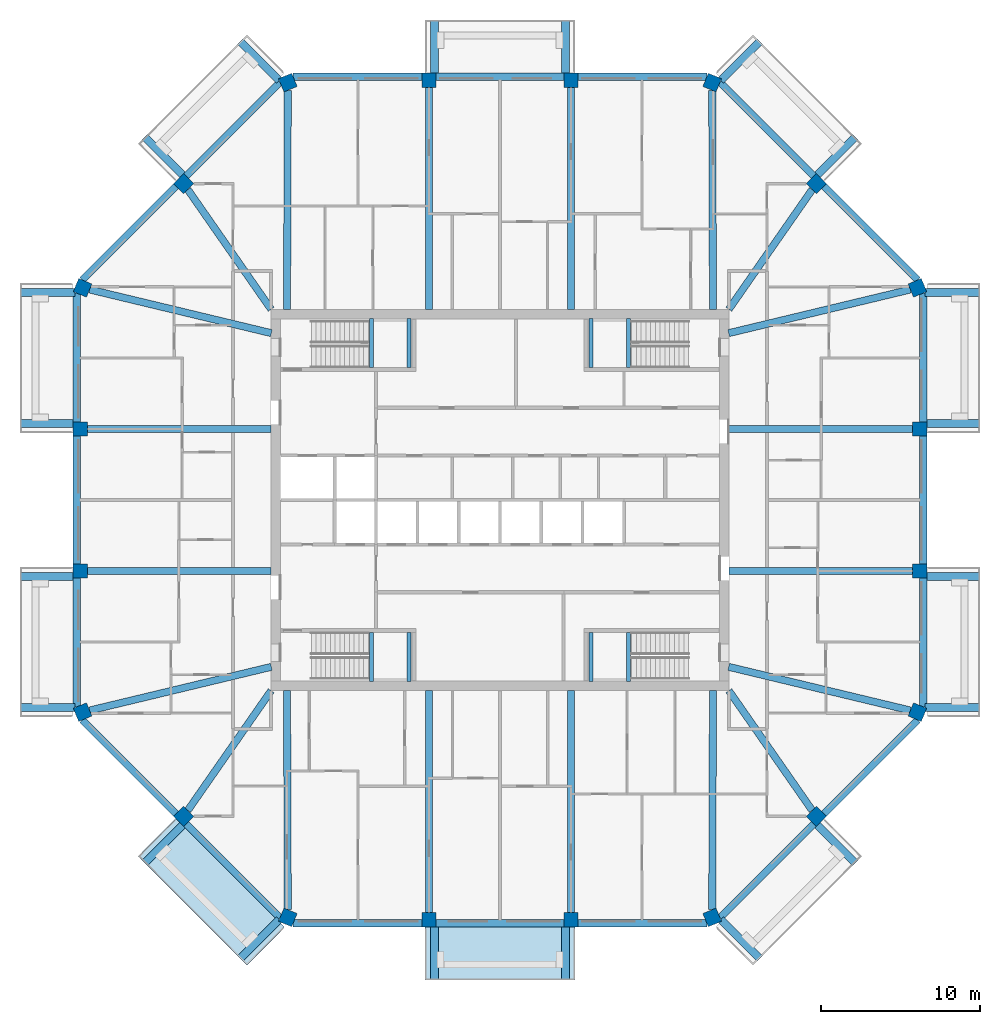
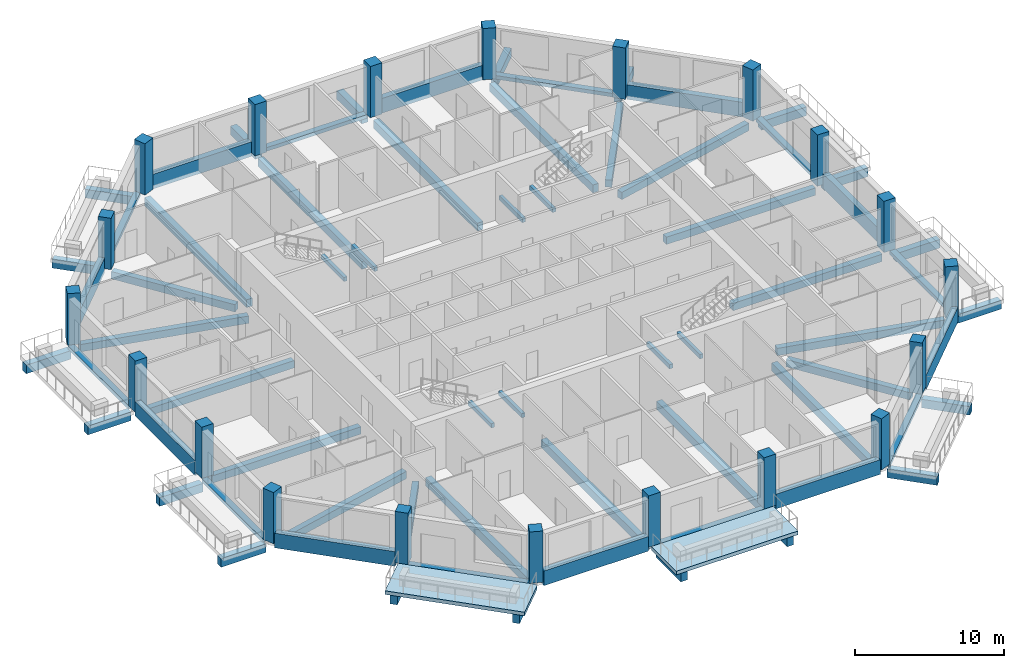
# One storey, part 1 of 12: 68 beams, 20 columns, 2 slabs.
"""IFC4 building model written with IfcOpenShell, lengths in metres."""

from ifc_helpers import new_model, si_unit, direction, frame, origin, origin_2d, place, context, subcontext, project, spatial, polyline, rectangle, outline, extrude, material, layer, layer_set, material_profile, profile_set, type_object, element, save


model = new_model("IFC4")

# Units and contexts
model_context = context("Model", 3, precision=1e-05, world=origin(), true_north=direction((0.0, 1.0)))
body_context = subcontext(model_context, "Body", "Model", "MODEL_VIEW")
ifc_project = project(units=[si_unit("LENGTHUNIT", "METRE"), si_unit("AREAUNIT", "SQUARE_METRE"), si_unit("VOLUMEUNIT", "CUBIC_METRE"), si_unit("PLANEANGLEUNIT", "RADIAN"), si_unit("MASSUNIT", "GRAM", prefix="KILO")], contexts=[model_context])

# Site, building, storey
site_placement = place(None, origin())
site = spatial("IfcSite", under=ifc_project, at=site_placement, CompositionType="ELEMENT")
building_placement = place(site_placement, origin())
building = spatial("IfcBuilding", under=site, at=building_placement, Name="Msitu Wima Residences", CompositionType="ELEMENT")
storey_placement = place(building_placement, frame((0.0, 0.0, 276.89990234375)))
storey = spatial("IfcBuildingStorey", under=building, at=storey_placement, Name="L64", CompositionType="ELEMENT", Elevation=276.89990234375)

# Columns
ifc_material_1 = material(Name="Concrete C50/60", Category="concrete")
ifc_material_profile_1 = material_profile(ifc_material_1, rectangle(XDim=0.89990234375, YDim=0.89990234375, at=origin_2d()), Name="RC 900x900")
ifc_profile_set_1 = profile_set([ifc_material_profile_1], Name="Concrete C50/60")
column_type = type_object("IfcColumnType", Name="Column RC 900x900 Concrete C50/60", PredefinedType="COLUMN", material=ifc_profile_set_1)
for number, where, z_axis, x_axis, name in (
    (1, (26.261962890625, -13.3486328125, 0.0), (0.0, 0.0, 1.0), (0.382683496864, 0.923879505795, 0.0), "Column L64 C-E0"),
    (2, (26.39990234375, -4.46875, 0.0), (0.0, 0.0, 1.0), (0.0, 1.0, 0.0), "Column L64 C-E1"),
    (3, (26.39990234375, 4.46875, 0.0), (0.0, 0.0, 1.0), (0.0, 1.0, 0.0), "Column L64 C-E2"),
    (4, (26.261962890625, 13.3486328125, 0.0), (0.0, 0.0, 1.0), (-0.382683496864, 0.923879505795, 0.0), "Column L64 C-NE0"),
    (5, (19.90283203125, 19.90283203125, 0.0), (0.0, 0.0, 1.0), (-0.707106781187, 0.707106781187, 0.0), "Column L64 C-NE1"),
    (6, (13.3486328125, 26.261962890625, 0.0), (0.0, 0.0, 1.0), (-0.923879505795, 0.382683496864, 0.0), "Column L64 C-N0"),
    (7, (4.46875, 26.39990234375, 0.0), (0.0, 0.0, 1.0), (-1.0, 0.0, 0.0), "Column L64 C-N1"),
    (8, (-4.46875, 26.39990234375, 0.0), (0.0, 0.0, 1.0), (-1.0, 0.0, 0.0), "Column L64 C-N2"),
    (9, (-13.3486328125, 26.261962890625, 0.0), (0.0, 0.0, 1.0), (-0.923879505795, -0.382683496864, 0.0), "Column L64 C-NW0"),
    (10, (-19.90283203125, 19.90283203125, 0.0), (0.0, 0.0, 1.0), (-0.707106781187, -0.707106781187, 0.0), "Column L64 C-NW1"),
    (11, (-26.261962890625, 13.3486328125, 0.0), (0.0, 0.0, 1.0), (-0.382683496864, -0.923879505795, 0.0), "Column L64 C-W0"),
    (12, (-26.39990234375, 4.46875, 0.0), (0.0, 0.0, 1.0), (0.0, -1.0, 0.0), "Column L64 C-W1"),
    (13, (-26.39990234375, -4.46875, 0.0), (0.0, 0.0, 1.0), (0.0, -1.0, 0.0), "Column L64 C-W2"),
    (14, (-26.261962890625, -13.3486328125, 0.0), (0.0, 0.0, 1.0), (0.382683496864, -0.923879505795, 0.0), "Column L64 C-SW0"),
    (15, (-19.90283203125, -19.90283203125, 0.0), (0.0, 0.0, 1.0), (0.707106781187, -0.707106781187, 0.0), "Column L64 C-SW1"),
    (16, (-13.3486328125, -26.261962890625, 0.0), (0.0, 0.0, 1.0), (0.923879505795, -0.382683496864, 0.0), "Column L64 C-S0"),
    (17, (-4.46875, -26.39990234375, 0.0), (0.0, 0.0, 1.0), (1.0, 0.0, 0.0), "Column L64 C-S1"),
    (18, (4.46875, -26.39990234375, 0.0), (0.0, 0.0, 1.0), (1.0, 0.0, 0.0), "Column L64 C-S2"),
    (19, (13.3486328125, -26.261962890625, 0.0), (0.0, 0.0, 1.0), (0.923879505795, 0.382683496864, 0.0), "Column L64 C-SE0"),
    (20, (19.90283203125, -19.90283203125, 0.0), (0.0, 0.0, 1.0), (0.707106781187, 0.707106781187, 0.0), "Column L64 C-SE1"),
):
    element("IfcColumn", number, at=place(storey_placement, frame(where, z_axis=z_axis, x_axis=x_axis)), inside=storey, type_object=column_type, Name=name, PredefinedType="COLUMN", context=body_context, shape_type="SweptSolid", body=[
        extrude(rectangle(XDim=0.89990234375, YDim=0.89990234375, at=origin_2d()), origin(), (0.0, 0.0, 1.0), 4.2001953125),
    ])

# Beams
ifc_material_profile_2 = material_profile(ifc_material_1, rectangle(XDim=0.449951171875, YDim=0.60009765625, at=origin_2d()), Name="RC 450x600")
ifc_profile_set_2 = profile_set([ifc_material_profile_2], Name="Concrete C50/60")
beam_type_1 = type_object("IfcBeamType", Name="Beam RC 450x600 Concrete C50/60", PredefinedType="BEAM", material=ifc_profile_set_2)
beam_1_placement = place(storey_placement, frame((25.819091796875, -13.242431640625, -0.5498046875), z_axis=(-0.972353359268, 0.233514335148, 0.0), x_axis=(-0.233514335148, -0.972353359268, 0.0)))
element("IfcBeam", 21, at=beam_1_placement, inside=storey, type_object=beam_type_1, Name="Beam L64 C-E0", PredefinedType="BEAM", context=body_context, shape_type="SweptSolid", body=[
    extrude(rectangle(XDim=0.449951171875, YDim=0.60009765625, at=origin_2d()), origin(), (0.0, 0.0, 1.0), 11.755615234375),
])
for number, where, z_axis, x_axis, name in (
    (22, (25.949951171875, -4.46875, -0.5498046875), (-1.0, 0.0, 0.0), (0.0, -1.0, 0.0), "Beam L64 C-E1"),
    (23, (25.949951171875, 4.46875, -0.5498046875), (-1.0, 0.0, 0.0), (0.0, -1.0, 0.0), "Beam L64 C-E2"),
):
    element("IfcBeam", number, at=place(storey_placement, frame(where, z_axis=z_axis, x_axis=x_axis)), inside=storey, type_object=beam_type_1, Name=name, PredefinedType="BEAM", context=body_context, shape_type="SweptSolid", body=[
        extrude(rectangle(XDim=0.449951171875, YDim=0.60009765625, at=origin_2d()), origin(), (0.0, 0.0, 1.0), 11.550048828125),
    ])
beam_2_placement = place(storey_placement, frame((25.819091796875, 13.242431640625, -0.5498046875), z_axis=(-0.972353359268, -0.233514335148, 0.0), x_axis=(0.233514335148, -0.972353359268, 0.0)))
element("IfcBeam", 24, at=beam_2_placement, inside=storey, type_object=beam_type_1, Name="Beam L64 C-NE0", PredefinedType="BEAM", context=body_context, shape_type="SweptSolid", body=[
    extrude(rectangle(XDim=0.449951171875, YDim=0.60009765625, at=origin_2d()), origin(), (0.0, 0.0, 1.0), 11.755615234375),
])
for number, where, z_axis, x_axis, name in (
    (25, (19.6416015625, 19.52783203125, -0.5498046875), (-0.571427822633, -0.820652328042, 0.0), (0.820652328042, -0.571427822633, 0.0), "Beam L64 C-NE1"),
    (26, (-19.6416015625, 19.52783203125, -0.5498046875), (0.571427822633, -0.820652328042, 0.0), (0.820652328042, 0.571427822633, 0.0), "Beam L64 C-NW1"),
):
    element("IfcBeam", number, at=place(storey_placement, frame(where, z_axis=z_axis, x_axis=x_axis)), inside=storey, type_object=beam_type_1, Name=name, PredefinedType="BEAM", context=body_context, shape_type="SweptSolid", body=[
        extrude(rectangle(XDim=0.449951171875, YDim=0.60009765625, at=origin_2d()), origin(), (0.0, 0.0, 1.0), 9.173095703125),
    ])
beam_3_placement = place(storey_placement, frame((-25.819091796875, 13.242431640625, -0.5498046875), z_axis=(0.972353359268, -0.233514335148, 0.0), x_axis=(0.233514335148, 0.972353359268, 0.0)))
element("IfcBeam", 27, at=beam_3_placement, inside=storey, type_object=beam_type_1, Name="Beam L64 C-W0", PredefinedType="BEAM", context=body_context, shape_type="SweptSolid", body=[
    extrude(rectangle(XDim=0.449951171875, YDim=0.60009765625, at=origin_2d()), origin(), (0.0, 0.0, 1.0), 11.755615234375),
])
for number, where, z_axis, x_axis, name in (
    (28, (-25.949951171875, 4.46875, -0.5498046875), (1.0, 0.0, 0.0), (0.0, 1.0, 0.0), "Beam L64 C-W1"),
    (29, (-25.949951171875, -4.46875, -0.5498046875), (1.0, 0.0, 0.0), (0.0, 1.0, 0.0), "Beam L64 C-W2"),
):
    element("IfcBeam", number, at=place(storey_placement, frame(where, z_axis=z_axis, x_axis=x_axis)), inside=storey, type_object=beam_type_1, Name=name, PredefinedType="BEAM", context=body_context, shape_type="SweptSolid", body=[
        extrude(rectangle(XDim=0.449951171875, YDim=0.60009765625, at=origin_2d()), origin(), (0.0, 0.0, 1.0), 11.550048828125),
    ])
beam_4_placement = place(storey_placement, frame((-25.819091796875, -13.242431640625, -0.5498046875), z_axis=(0.972353359268, 0.233514335148, 0.0), x_axis=(-0.233514335148, 0.972353359268, 0.0)))
element("IfcBeam", 30, at=beam_4_placement, inside=storey, type_object=beam_type_1, Name="Beam L64 C-SW0", PredefinedType="BEAM", context=body_context, shape_type="SweptSolid", body=[
    extrude(rectangle(XDim=0.449951171875, YDim=0.60009765625, at=origin_2d()), origin(), (0.0, 0.0, 1.0), 11.755615234375),
])
for number, where, z_axis, x_axis, name in (
    (31, (-19.6416015625, -19.52783203125, -0.5498046875), (0.571427822633, 0.820652328042, 0.0), (-0.820652328042, 0.571427822633, 0.0), "Beam L64 C-SW1"),
    (32, (19.6416015625, -19.52783203125, -0.5498046875), (-0.571427822633, 0.820652328042, 0.0), (-0.820652328042, -0.571427822633, 0.0), "Beam L64 C-SE1"),
):
    element("IfcBeam", number, at=place(storey_placement, frame(where, z_axis=z_axis, x_axis=x_axis)), inside=storey, type_object=beam_type_1, Name=name, PredefinedType="BEAM", context=body_context, shape_type="SweptSolid", body=[
        extrude(rectangle(XDim=0.449951171875, YDim=0.60009765625, at=origin_2d()), origin(), (0.0, 0.0, 1.0), 9.173095703125),
    ])
ifc_material_profile_3 = material_profile(ifc_material_1, rectangle(XDim=0.449951171875, YDim=0.64990234375, at=origin_2d()), Name="RC 450x650")
ifc_profile_set_3 = profile_set([ifc_material_profile_3], Name="Concrete C50/60")
beam_type_2 = type_object("IfcBeamType", Name="Beam RC 450x650 Concrete C50/60", PredefinedType="BEAM", material=ifc_profile_set_3)
beam_5_placement = place(storey_placement, frame((13.3505859375, 25.774169921875, -0.574951171875), z_axis=(0.003594933206, -0.999993538207, 0.0), x_axis=(0.999993538207, 0.003594933206, 0.0)))
element("IfcBeam", 33, at=beam_5_placement, inside=storey, type_object=beam_type_2, Name="Beam L64 C-N0", PredefinedType="BEAM", context=body_context, shape_type="SweptSolid", body=[
    extrude(rectangle(XDim=0.449951171875, YDim=0.64990234375, at=origin_2d()), origin(), (0.0, 0.0, 1.0), 13.7861328125),
])
for number, where, z_axis, x_axis, name in (
    (34, (4.46875, 25.949951171875, -0.574951171875), (0.0, -1.0, 0.0), (1.0, 0.0, 0.0), "Beam L64 C-N1"),
    (35, (-4.46875, 25.949951171875, -0.574951171875), (0.0, -1.0, 0.0), (1.0, 0.0, 0.0), "Beam L64 C-N2"),
):
    element("IfcBeam", number, at=place(storey_placement, frame(where, z_axis=z_axis, x_axis=x_axis)), inside=storey, type_object=beam_type_2, Name=name, PredefinedType="BEAM", context=body_context, shape_type="SweptSolid", body=[
        extrude(rectangle(XDim=0.449951171875, YDim=0.64990234375, at=origin_2d()), origin(), (0.0, 0.0, 1.0), 13.949951171875),
    ])
for number, where, z_axis, x_axis, name in (
    (36, (-13.3505859375, 25.774169921875, -0.574951171875), (-0.003594933206, -0.999993538207, 0.0), (0.999993538207, -0.003594933206, 0.0), "Beam L64 C-NW0"),
    (37, (-13.3505859375, -25.774169921875, -0.574951171875), (-0.003594933206, 0.999993538207, 0.0), (-0.999993538207, -0.003594933206, 0.0), "Beam L64 C-S0"),
):
    element("IfcBeam", number, at=place(storey_placement, frame(where, z_axis=z_axis, x_axis=x_axis)), inside=storey, type_object=beam_type_2, Name=name, PredefinedType="BEAM", context=body_context, shape_type="SweptSolid", body=[
        extrude(rectangle(XDim=0.449951171875, YDim=0.64990234375, at=origin_2d()), origin(), (0.0, 0.0, 1.0), 13.7861328125),
    ])
for number, where, z_axis, x_axis, name in (
    (38, (-4.46875, -25.949951171875, -0.574951171875), (0.0, 1.0, 0.0), (-1.0, 0.0, 0.0), "Beam L64 C-S1"),
    (39, (4.46875, -25.949951171875, -0.574951171875), (0.0, 1.0, 0.0), (-1.0, 0.0, 0.0), "Beam L64 C-S2"),
):
    element("IfcBeam", number, at=place(storey_placement, frame(where, z_axis=z_axis, x_axis=x_axis)), inside=storey, type_object=beam_type_2, Name=name, PredefinedType="BEAM", context=body_context, shape_type="SweptSolid", body=[
        extrude(rectangle(XDim=0.449951171875, YDim=0.64990234375, at=origin_2d()), origin(), (0.0, 0.0, 1.0), 13.949951171875),
    ])
beam_6_placement = place(storey_placement, frame((13.3505859375, -25.774169921875, -0.574951171875), z_axis=(0.003594933206, 0.999993538207, 0.0), x_axis=(-0.999993538207, 0.003594933206, 0.0)))
element("IfcBeam", 40, at=beam_6_placement, inside=storey, type_object=beam_type_2, Name="Beam L64 C-SE0", PredefinedType="BEAM", context=body_context, shape_type="SweptSolid", body=[
    extrude(rectangle(XDim=0.449951171875, YDim=0.64990234375, at=origin_2d()), origin(), (0.0, 0.0, 1.0), 13.7861328125),
])
ifc_material_profile_4 = material_profile(ifc_material_1, rectangle(XDim=0.5, YDim=0.699951171875, at=origin_2d()), Name="RC 500x700")
ifc_profile_set_4 = profile_set([ifc_material_profile_4], Name="Concrete C50/60")
beam_type_3 = type_object("IfcBeamType", Name="Cantilever beam RC 500x700 Concrete C50/60", PredefinedType="BEAM", material=ifc_profile_set_4)
beam_7_placement = place(storey_placement, frame((26.73095703125, -13.055908203125, -0.64990234375), z_axis=(1.0, 0.0, 0.0), x_axis=(0.0, 1.0, 0.0)))
element("IfcBeam", 41, at=beam_7_placement, inside=storey, type_object=beam_type_3, Name="Cantilever beam L64 BA-E0 A", PredefinedType="BEAM", context=body_context, shape_type="SweptSolid", body=[
    extrude(rectangle(XDim=0.5, YDim=0.699951171875, at=origin_2d()), origin(), (0.0, 0.0, 1.0), 3.468994140625),
])
for number, where, z_axis, x_axis, name in (
    (42, (26.85009765625, -4.818603515625, -0.64990234375), (1.0, 0.0, 0.0), (0.0, 1.0, 0.0), "Cantilever beam L64 BA-E0 B"),
    (43, (26.85009765625, 4.818603515625, -0.64990234375), (1.0, 0.0, 0.0), (0.0, 1.0, 0.0), "Cantilever beam L64 BA-E2 A"),
):
    element("IfcBeam", number, at=place(storey_placement, frame(where, z_axis=z_axis, x_axis=x_axis)), inside=storey, type_object=beam_type_3, Name=name, PredefinedType="BEAM", context=body_context, shape_type="SweptSolid", body=[
        extrude(rectangle(XDim=0.5, YDim=0.699951171875, at=origin_2d()), origin(), (0.0, 0.0, 1.0), 3.349853515625),
    ])
beam_8_placement = place(storey_placement, frame((26.73095703125, 13.055908203125, -0.64990234375), z_axis=(1.0, 0.0, 0.0), x_axis=(0.0, 1.0, 0.0)))
element("IfcBeam", 44, at=beam_8_placement, inside=storey, type_object=beam_type_3, Name="Cantilever beam L64 BA-E2 B", PredefinedType="BEAM", context=body_context, shape_type="SweptSolid", body=[
    extrude(rectangle(XDim=0.5, YDim=0.699951171875, at=origin_2d()), origin(), (0.0, 0.0, 1.0), 3.468994140625),
])
beam_9_placement = place(storey_placement, frame((19.9736328125, 20.46875, -0.64990234375), z_axis=(0.707143219659, 0.707070340836, 0.0), x_axis=(-0.707070340836, 0.707143219659, 0.0)))
element("IfcBeam", 45, at=beam_9_placement, inside=storey, type_object=beam_type_3, Name="Cantilever beam L64 BA-NE1 A", PredefinedType="BEAM", context=body_context, shape_type="SweptSolid", body=[
    extrude(rectangle(XDim=0.5, YDim=0.699951171875, at=origin_2d()), origin(), (0.0, 0.0, 1.0), 3.349853515625),
])
beam_10_placement = place(storey_placement, frame((13.887451171875, 26.386474609375, -0.64990234375), z_axis=(0.707071592116, 0.707141968506, 0.0), x_axis=(-0.707141968506, 0.707071592116, 0.0)))
element("IfcBeam", 46, at=beam_10_placement, inside=storey, type_object=beam_type_3, Name="Cantilever beam L64 BA-NE1 B", PredefinedType="BEAM", context=body_context, shape_type="SweptSolid", body=[
    extrude(rectangle(XDim=0.5, YDim=0.699951171875, at=origin_2d()), origin(), (0.0, 0.0, 1.0), 3.468994140625),
])
for number, where, z_axis, x_axis, name in (
    (47, (4.11865234375, 26.85009765625, -0.64990234375), (0.0, 1.0, 0.0), (-1.0, 0.0, 0.0), "Cantilever beam L64 BA-N1 A"),
    (48, (-4.11865234375, 26.85009765625, -0.64990234375), (0.0, 1.0, 0.0), (-1.0, 0.0, 0.0), "Cantilever beam L64 BA-N1 B"),
):
    element("IfcBeam", number, at=place(storey_placement, frame(where, z_axis=z_axis, x_axis=x_axis)), inside=storey, type_object=beam_type_3, Name=name, PredefinedType="BEAM", context=body_context, shape_type="SweptSolid", body=[
        extrude(rectangle(XDim=0.5, YDim=0.699951171875, at=origin_2d()), origin(), (0.0, 0.0, 1.0), 3.349853515625),
    ])
beam_11_placement = place(storey_placement, frame((-13.887451171875, 26.386474609375, -0.64990234375), z_axis=(-0.707071592116, 0.707141968506, 0.0), x_axis=(-0.707141968506, -0.707071592116, 0.0)))
element("IfcBeam", 49, at=beam_11_placement, inside=storey, type_object=beam_type_3, Name="Cantilever beam L64 BA-NW0 A", PredefinedType="BEAM", context=body_context, shape_type="SweptSolid", body=[
    extrude(rectangle(XDim=0.5, YDim=0.699951171875, at=origin_2d()), origin(), (0.0, 0.0, 1.0), 3.468994140625),
])
beam_12_placement = place(storey_placement, frame((-19.9736328125, 20.46875, -0.64990234375), z_axis=(-0.707143219659, 0.707070340836, 0.0), x_axis=(-0.707070340836, -0.707143219659, 0.0)))
element("IfcBeam", 50, at=beam_12_placement, inside=storey, type_object=beam_type_3, Name="Cantilever beam L64 BA-NW0 B", PredefinedType="BEAM", context=body_context, shape_type="SweptSolid", body=[
    extrude(rectangle(XDim=0.5, YDim=0.699951171875, at=origin_2d()), origin(), (0.0, 0.0, 1.0), 3.349853515625),
])
beam_13_placement = place(storey_placement, frame((-26.73095703125, 13.055908203125, -0.64990234375), z_axis=(-1.0, 0.0, 0.0), x_axis=(0.0, -1.0, 0.0)))
element("IfcBeam", 51, at=beam_13_placement, inside=storey, type_object=beam_type_3, Name="Cantilever beam L64 BA-W0 A", PredefinedType="BEAM", context=body_context, shape_type="SweptSolid", body=[
    extrude(rectangle(XDim=0.5, YDim=0.699951171875, at=origin_2d()), origin(), (0.0, 0.0, 1.0), 3.468994140625),
])
for number, where, z_axis, x_axis, name in (
    (52, (-26.85009765625, 4.818603515625, -0.64990234375), (-1.0, 0.0, 0.0), (0.0, -1.0, 0.0), "Cantilever beam L64 BA-W0 B"),
    (53, (-26.85009765625, -4.818603515625, -0.64990234375), (-1.0, 0.0, 0.0), (0.0, -1.0, 0.0), "Cantilever beam L64 BA-W2 A"),
):
    element("IfcBeam", number, at=place(storey_placement, frame(where, z_axis=z_axis, x_axis=x_axis)), inside=storey, type_object=beam_type_3, Name=name, PredefinedType="BEAM", context=body_context, shape_type="SweptSolid", body=[
        extrude(rectangle(XDim=0.5, YDim=0.699951171875, at=origin_2d()), origin(), (0.0, 0.0, 1.0), 3.349853515625),
    ])
beam_14_placement = place(storey_placement, frame((-26.73095703125, -13.055908203125, -0.64990234375), z_axis=(-1.0, 0.0, 0.0), x_axis=(0.0, -1.0, 0.0)))
element("IfcBeam", 54, at=beam_14_placement, inside=storey, type_object=beam_type_3, Name="Cantilever beam L64 BA-W2 B", PredefinedType="BEAM", context=body_context, shape_type="SweptSolid", body=[
    extrude(rectangle(XDim=0.5, YDim=0.699951171875, at=origin_2d()), origin(), (0.0, 0.0, 1.0), 3.468994140625),
])
beam_15_placement = place(storey_placement, frame((-19.9736328125, -20.46875, -0.64990234375), z_axis=(-0.707143219659, -0.707070340836, 0.0), x_axis=(0.707070340836, -0.707143219659, 0.0)))
element("IfcBeam", 55, at=beam_15_placement, inside=storey, type_object=beam_type_3, Name="Cantilever beam L64 BA-SW1 A", PredefinedType="BEAM", context=body_context, shape_type="SweptSolid", body=[
    extrude(rectangle(XDim=0.5, YDim=0.699951171875, at=origin_2d()), origin(), (0.0, 0.0, 1.0), 3.349853515625),
])
beam_16_placement = place(storey_placement, frame((-13.887451171875, -26.386474609375, -0.64990234375), z_axis=(-0.707071592116, -0.707141968506, 0.0), x_axis=(0.707141968506, -0.707071592116, 0.0)))
element("IfcBeam", 56, at=beam_16_placement, inside=storey, type_object=beam_type_3, Name="Cantilever beam L64 BA-SW1 B", PredefinedType="BEAM", context=body_context, shape_type="SweptSolid", body=[
    extrude(rectangle(XDim=0.5, YDim=0.699951171875, at=origin_2d()), origin(), (0.0, 0.0, 1.0), 3.468994140625),
])
for number, where, z_axis, x_axis, name in (
    (57, (-4.11865234375, -26.85009765625, -0.64990234375), (0.0, -1.0, 0.0), (1.0, 0.0, 0.0), "Cantilever beam L64 BA-S1 A"),
    (58, (4.11865234375, -26.85009765625, -0.64990234375), (0.0, -1.0, 0.0), (1.0, 0.0, 0.0), "Cantilever beam L64 BA-S1 B"),
):
    element("IfcBeam", number, at=place(storey_placement, frame(where, z_axis=z_axis, x_axis=x_axis)), inside=storey, type_object=beam_type_3, Name=name, PredefinedType="BEAM", context=body_context, shape_type="SweptSolid", body=[
        extrude(rectangle(XDim=0.5, YDim=0.699951171875, at=origin_2d()), origin(), (0.0, 0.0, 1.0), 3.349853515625),
    ])
beam_17_placement = place(storey_placement, frame((13.887451171875, -26.386474609375, -0.64990234375), z_axis=(0.707071592116, -0.707141968506, 0.0), x_axis=(0.707141968506, 0.707071592116, 0.0)))
element("IfcBeam", 59, at=beam_17_placement, inside=storey, type_object=beam_type_3, Name="Cantilever beam L64 BA-SE0 A", PredefinedType="BEAM", context=body_context, shape_type="SweptSolid", body=[
    extrude(rectangle(XDim=0.5, YDim=0.699951171875, at=origin_2d()), origin(), (0.0, 0.0, 1.0), 3.468994140625),
])
beam_18_placement = place(storey_placement, frame((19.9736328125, -20.46875, -0.64990234375), z_axis=(0.707143219659, -0.707070340836, 0.0), x_axis=(0.707070340836, 0.707143219659, 0.0)))
element("IfcBeam", 60, at=beam_18_placement, inside=storey, type_object=beam_type_3, Name="Cantilever beam L64 BA-SE0 B", PredefinedType="BEAM", context=body_context, shape_type="SweptSolid", body=[
    extrude(rectangle(XDim=0.5, YDim=0.699951171875, at=origin_2d()), origin(), (0.0, 0.0, 1.0), 3.349853515625),
])
ifc_material_profile_5 = material_profile(ifc_material_1, rectangle(XDim=0.449951171875, YDim=0.300048828125, at=origin_2d()), Name="RC 450x300")
ifc_profile_set_5 = profile_set([ifc_material_profile_5], Name="Concrete C50/60")
beam_type_4 = type_object("IfcBeamType", Name="Edge beam RC 450x300 Concrete C50/60", PredefinedType="SPANDREL", material=ifc_profile_set_5)
for number, where, z_axis, x_axis, name in (
    (61, (26.625, -13.02392578125, -0.14990234375), (0.0, 1.0, 0.0), (-1.0, 0.0, 0.0), "Spandrel L64 E0"),
    (62, (26.625, 4.918701171875, -0.14990234375), (0.0, 1.0, 0.0), (-1.0, 0.0, 0.0), "Spandrel L64 E2"),
):
    element("IfcBeam", number, at=place(storey_placement, frame(where, z_axis=z_axis, x_axis=x_axis)), inside=storey, type_object=beam_type_4, Name=name, PredefinedType="SPANDREL", context=body_context, shape_type="SweptSolid", body=[
        extrude(rectangle(XDim=0.449951171875, YDim=0.300048828125, at=origin_2d()), origin(), (0.0, 0.0, 1.0), 8.105224609375),
    ])
beam_19_placement = place(storey_placement, frame((19.743896484375, 20.380126953125, -0.14990234375), z_axis=(-0.707106781187, 0.707106781187, 0.0), x_axis=(-0.707106781187, -0.707106781187, 0.0)))
element("IfcBeam", 63, at=beam_19_placement, inside=storey, type_object=beam_type_4, Name="Spandrel L64 NE1", PredefinedType="SPANDREL", context=body_context, shape_type="SweptSolid", body=[
    extrude(rectangle(XDim=0.449951171875, YDim=0.300048828125, at=origin_2d()), origin(), (0.0, 0.0, 1.0), 8.3564453125),
])
beam_20_placement = place(storey_placement, frame((4.0185546875, 26.625, -0.14990234375), z_axis=(-1.0, 0.0, 0.0), x_axis=(0.0, -1.0, 0.0)))
element("IfcBeam", 64, at=beam_20_placement, inside=storey, type_object=beam_type_4, Name="Spandrel L64 N1", PredefinedType="SPANDREL", context=body_context, shape_type="SweptSolid", body=[
    extrude(rectangle(XDim=0.449951171875, YDim=0.300048828125, at=origin_2d()), origin(), (0.0, 0.0, 1.0), 8.037109375),
])
beam_21_placement = place(storey_placement, frame((-13.8349609375, 26.2890625, -0.14990234375), z_axis=(-0.707106781187, -0.707106781187, 0.0), x_axis=(0.707106781187, -0.707106781187, 0.0)))
element("IfcBeam", 65, at=beam_21_placement, inside=storey, type_object=beam_type_4, Name="Spandrel L64 NW0", PredefinedType="SPANDREL", context=body_context, shape_type="SweptSolid", body=[
    extrude(rectangle(XDim=0.449951171875, YDim=0.300048828125, at=origin_2d()), origin(), (0.0, 0.0, 1.0), 8.3564453125),
])
for number, where, z_axis, x_axis, name in (
    (66, (-26.625, 13.02392578125, -0.14990234375), (0.0, -1.0, 0.0), (1.0, 0.0, 0.0), "Spandrel L64 W0"),
    (67, (-26.625, -4.918701171875, -0.14990234375), (0.0, -1.0, 0.0), (1.0, 0.0, 0.0), "Spandrel L64 W2"),
):
    element("IfcBeam", number, at=place(storey_placement, frame(where, z_axis=z_axis, x_axis=x_axis)), inside=storey, type_object=beam_type_4, Name=name, PredefinedType="SPANDREL", context=body_context, shape_type="SweptSolid", body=[
        extrude(rectangle(XDim=0.449951171875, YDim=0.300048828125, at=origin_2d()), origin(), (0.0, 0.0, 1.0), 8.105224609375),
    ])
beam_22_placement = place(storey_placement, frame((-19.743896484375, -20.380126953125, -0.14990234375), z_axis=(0.707106781187, -0.707106781187, 0.0), x_axis=(0.707106781187, 0.707106781187, 0.0)))
element("IfcBeam", 68, at=beam_22_placement, inside=storey, type_object=beam_type_4, Name="Spandrel L64 SW1", PredefinedType="SPANDREL", context=body_context, shape_type="SweptSolid", body=[
    extrude(rectangle(XDim=0.449951171875, YDim=0.300048828125, at=origin_2d()), origin(), (0.0, 0.0, 1.0), 8.3564453125),
])
beam_23_placement = place(storey_placement, frame((-4.0185546875, -26.625, -0.14990234375), z_axis=(1.0, 0.0, 0.0), x_axis=(0.0, 1.0, 0.0)))
element("IfcBeam", 69, at=beam_23_placement, inside=storey, type_object=beam_type_4, Name="Spandrel L64 S1", PredefinedType="SPANDREL", context=body_context, shape_type="SweptSolid", body=[
    extrude(rectangle(XDim=0.449951171875, YDim=0.300048828125, at=origin_2d()), origin(), (0.0, 0.0, 1.0), 8.037109375),
])
beam_24_placement = place(storey_placement, frame((13.8349609375, -26.2890625, -0.14990234375), z_axis=(0.707106781187, 0.707106781187, 0.0), x_axis=(-0.707106781187, 0.707106781187, 0.0)))
element("IfcBeam", 70, at=beam_24_placement, inside=storey, type_object=beam_type_4, Name="Spandrel L64 SE0", PredefinedType="SPANDREL", context=body_context, shape_type="SweptSolid", body=[
    extrude(rectangle(XDim=0.449951171875, YDim=0.300048828125, at=origin_2d()), origin(), (0.0, 0.0, 1.0), 8.3564453125),
])
ifc_material_2 = material(Name="Concrete C40/50", Category="concrete")
ifc_material_profile_6 = material_profile(ifc_material_2, rectangle(XDim=0.25, YDim=0.35009765625, at=origin_2d()), Name="RC 250x350")
ifc_profile_set_6 = profile_set([ifc_material_profile_6], Name="Concrete C40/50")
beam_type_5 = type_object("IfcBeamType", Name="Landing beam RC 250x350", PredefinedType="BEAM", material=ifc_profile_set_6)
for number, where, z_axis, x_axis, name in (
    (71, (-8.074951171875, 8.324951171875, 1.72509765625), (0.0, 1.0, 0.0), (-1.0, 0.0, 0.0), "Stair 1 landing beam"),
    (72, (-5.72509765625, 8.324951171875, 1.72509765625), (0.0, 1.0, 0.0), (-1.0, 0.0, 0.0), "Stair 1 landing beam"),
    (73, (-8.074951171875, -11.425048828125, 1.72509765625), (0.0, 1.0, 0.0), (-1.0, 0.0, 0.0), "Stair 2 landing beam"),
    (74, (-5.72509765625, -11.425048828125, 1.72509765625), (0.0, 1.0, 0.0), (-1.0, 0.0, 0.0), "Stair 2 landing beam"),
    (75, (8.074951171875, 8.324951171875, 1.72509765625), (0.0, 1.0, 0.0), (-1.0, 0.0, 0.0), "Stair 3 landing beam"),
    (76, (5.72509765625, 8.324951171875, 1.72509765625), (0.0, 1.0, 0.0), (-1.0, 0.0, 0.0), "Stair 3 landing beam"),
    (77, (8.074951171875, -11.425048828125, 1.72509765625), (0.0, 1.0, 0.0), (-1.0, 0.0, 0.0), "Stair 4 landing beam"),
    (78, (5.72509765625, -11.425048828125, 1.72509765625), (0.0, 1.0, 0.0), (-1.0, 0.0, 0.0), "Stair 4 landing beam"),
):
    element("IfcBeam", number, at=place(storey_placement, frame(where, z_axis=z_axis, x_axis=x_axis)), inside=storey, type_object=beam_type_5, Name=name, PredefinedType="BEAM", context=body_context, shape_type="SweptSolid", body=[
        extrude(rectangle(XDim=0.25, YDim=0.35009765625, at=origin_2d()), origin(), (0.0, 0.0, 1.0), 3.10009765625),
    ])
ifc_material_profile_7 = material_profile(ifc_material_1, rectangle(XDim=0.449951171875, YDim=1.199951171875, at=origin_2d()), Name="RC 450x1200")
ifc_profile_set_7 = profile_set([ifc_material_profile_7], Name="Concrete C50/60")
beam_type_6 = type_object("IfcBeamType", Name="Spandrel RC 450x1200 Concrete C50/60", PredefinedType="SPANDREL", material=ifc_profile_set_7)
beam_25_placement = place(storey_placement, frame((26.625, -4.0185546875, 0.300048828125), z_axis=(0.0, 1.0, 0.0), x_axis=(-1.0, 0.0, 0.0)))
element("IfcBeam", 79, at=beam_25_placement, inside=storey, type_object=beam_type_6, Name="Spandrel L64 E1", PredefinedType="SPANDREL", context=body_context, shape_type="SweptSolid", body=[
    extrude(rectangle(XDim=0.449951171875, YDim=1.199951171875, at=origin_2d()), origin(), (0.0, 0.0, 1.0), 8.037109375),
])
beam_26_placement = place(storey_placement, frame((26.2890625, 13.8349609375, 0.300048828125), z_axis=(-0.707106781187, 0.707106781187, 0.0), x_axis=(-0.707106781187, -0.707106781187, 0.0)))
element("IfcBeam", 80, at=beam_26_placement, inside=storey, type_object=beam_type_6, Name="Spandrel L64 NE0", PredefinedType="SPANDREL", context=body_context, shape_type="SweptSolid", body=[
    extrude(rectangle(XDim=0.449951171875, YDim=1.199951171875, at=origin_2d()), origin(), (0.0, 0.0, 1.0), 8.3564453125),
])
for number, where, z_axis, x_axis, name in (
    (81, (13.02392578125, 26.625, 0.300048828125), (-1.0, 0.0, 0.0), (0.0, -1.0, 0.0), "Spandrel L64 N0"),
    (82, (-4.918701171875, 26.625, 0.300048828125), (-1.0, 0.0, 0.0), (0.0, -1.0, 0.0), "Spandrel L64 N2"),
):
    element("IfcBeam", number, at=place(storey_placement, frame(where, z_axis=z_axis, x_axis=x_axis)), inside=storey, type_object=beam_type_6, Name=name, PredefinedType="SPANDREL", context=body_context, shape_type="SweptSolid", body=[
        extrude(rectangle(XDim=0.449951171875, YDim=1.199951171875, at=origin_2d()), origin(), (0.0, 0.0, 1.0), 8.105224609375),
    ])
beam_27_placement = place(storey_placement, frame((-20.380126953125, 19.743896484375, 0.300048828125), z_axis=(-0.707106781187, -0.707106781187, 0.0), x_axis=(0.707106781187, -0.707106781187, 0.0)))
element("IfcBeam", 83, at=beam_27_placement, inside=storey, type_object=beam_type_6, Name="Spandrel L64 NW1", PredefinedType="SPANDREL", context=body_context, shape_type="SweptSolid", body=[
    extrude(rectangle(XDim=0.449951171875, YDim=1.199951171875, at=origin_2d()), origin(), (0.0, 0.0, 1.0), 8.3564453125),
])
beam_28_placement = place(storey_placement, frame((-26.625, 4.0185546875, 0.300048828125), z_axis=(0.0, -1.0, 0.0), x_axis=(1.0, 0.0, 0.0)))
element("IfcBeam", 84, at=beam_28_placement, inside=storey, type_object=beam_type_6, Name="Spandrel L64 W1", PredefinedType="SPANDREL", context=body_context, shape_type="SweptSolid", body=[
    extrude(rectangle(XDim=0.449951171875, YDim=1.199951171875, at=origin_2d()), origin(), (0.0, 0.0, 1.0), 8.037109375),
])
beam_29_placement = place(storey_placement, frame((-26.2890625, -13.8349609375, 0.300048828125), z_axis=(0.707106781187, -0.707106781187, 0.0), x_axis=(0.707106781187, 0.707106781187, 0.0)))
element("IfcBeam", 85, at=beam_29_placement, inside=storey, type_object=beam_type_6, Name="Spandrel L64 SW0", PredefinedType="SPANDREL", context=body_context, shape_type="SweptSolid", body=[
    extrude(rectangle(XDim=0.449951171875, YDim=1.199951171875, at=origin_2d()), origin(), (0.0, 0.0, 1.0), 8.3564453125),
])
for number, where, z_axis, x_axis, name in (
    (86, (-13.02392578125, -26.625, 0.300048828125), (1.0, 0.0, 0.0), (0.0, 1.0, 0.0), "Spandrel L64 S0"),
    (87, (4.918701171875, -26.625, 0.300048828125), (1.0, 0.0, 0.0), (0.0, 1.0, 0.0), "Spandrel L64 S2"),
):
    element("IfcBeam", number, at=place(storey_placement, frame(where, z_axis=z_axis, x_axis=x_axis)), inside=storey, type_object=beam_type_6, Name=name, PredefinedType="SPANDREL", context=body_context, shape_type="SweptSolid", body=[
        extrude(rectangle(XDim=0.449951171875, YDim=1.199951171875, at=origin_2d()), origin(), (0.0, 0.0, 1.0), 8.105224609375),
    ])
beam_30_placement = place(storey_placement, frame((20.380126953125, -19.743896484375, 0.300048828125), z_axis=(0.707106781187, 0.707106781187, 0.0), x_axis=(-0.707106781187, 0.707106781187, 0.0)))
element("IfcBeam", 88, at=beam_30_placement, inside=storey, type_object=beam_type_6, Name="Spandrel L64 SE1", PredefinedType="SPANDREL", context=body_context, shape_type="SweptSolid", body=[
    extrude(rectangle(XDim=0.449951171875, YDim=1.199951171875, at=origin_2d()), origin(), (0.0, 0.0, 1.0), 8.3564453125),
])

# Slabs
ifc_layer = layer(ifc_material_2, 0.300048828125)
ifc_layer_set = layer_set([ifc_layer], Name="Concrete C40/50")
slab_type = type_object("IfcSlabType", Name="Balcony slab BS300", PredefinedType="FLOOR", material=ifc_layer_set)
slab_1_placement = place(storey_placement, frame((0.0, 0.0, -0.2998046875)))
element("IfcSlab", 89, at=slab_1_placement, inside=storey, type_object=slab_type, Name="Balcony SW1 L64", PredefinedType="FLOOR", context=body_context, shape_type="SweptSolid", body=[
    extrude(outline(polyline([(-13.936767578125, -26.505615234375), (-13.936767578125, -26.505615234375), (-13.59228515625, -26.85009765625), (-13.656005859375, -27.003662109375), (-15.916015625, -29.263671875), (-22.766845703125, -22.4130859375), (-20.39794921875, -20.04443359375), (-13.936767578125, -26.505615234375), (-13.936767578125, -26.505615234375)])), origin(), (0.0, 0.0, 1.0), 0.2998046875),
])
slab_2_placement = place(storey_placement, frame((0.0, 0.0, -0.2998046875)))
element("IfcSlab", 90, at=slab_2_placement, inside=storey, type_object=slab_type, Name="Balcony S1 L64", PredefinedType="FLOOR", context=body_context, shape_type="SweptSolid", body=[
    extrude(outline(polyline([(-4.0185546875, -26.85009765625), (4.0185546875, -26.85009765625), (4.71875, -26.85009765625), (4.71875, -30.199951171875), (-4.71875, -30.199951171875), (-4.71875, -26.85009765625), (-4.0185546875, -26.85009765625)])), origin(), (0.0, 0.0, 1.0), 0.2998046875),
])

save(model, "model.ifc")
